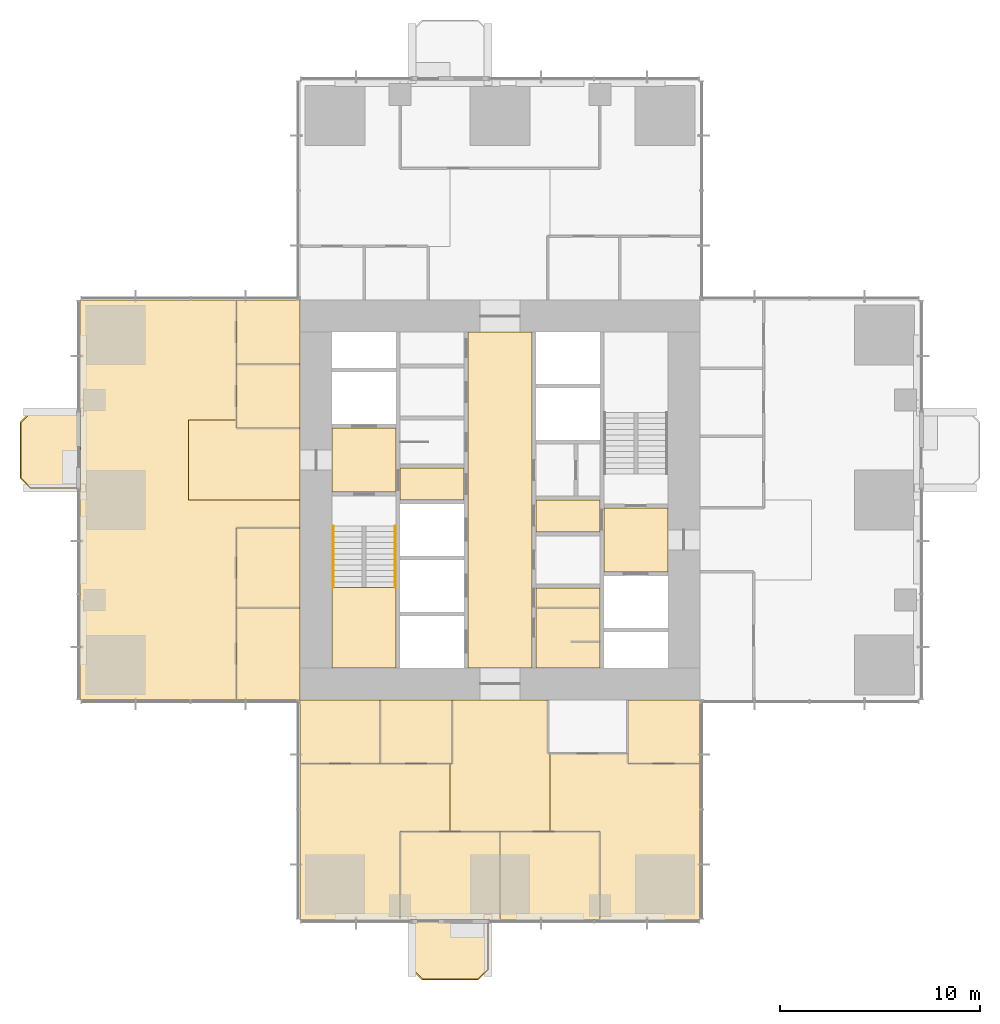
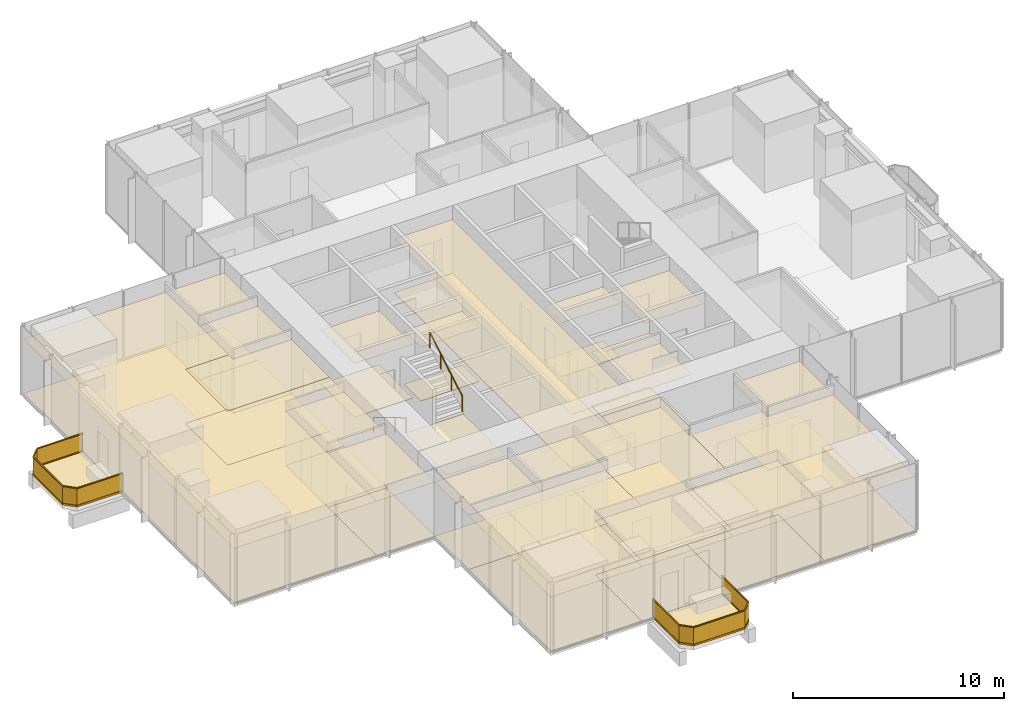
# One storey, part 11 of 13: 44 coverings, 4 railings.
"""IFC4 building model written with IfcOpenShell, lengths in metres."""

from ifc_helpers import new_model, si_unit, direction, frame, origin, origin_2d, place, context, subcontext, project, spatial, polyline, rectangle, circle, outline, extrude, material, layer, layer_set, type_object, element, save


model = new_model("IFC4")

# Units and contexts
model_context = context("Model", 3, precision=1e-05, world=origin(), true_north=direction((0.0, 1.0)))
body_context = subcontext(model_context, "Body", "Model", "MODEL_VIEW")
ifc_project = project(units=[si_unit("LENGTHUNIT", "METRE"), si_unit("AREAUNIT", "SQUARE_METRE"), si_unit("VOLUMEUNIT", "CUBIC_METRE"), si_unit("PLANEANGLEUNIT", "RADIAN"), si_unit("MASSUNIT", "GRAM", prefix="KILO")], contexts=[model_context])

# Site, building, storey
site_placement = place(None, origin())
site = spatial("IfcSite", under=ifc_project, at=site_placement, CompositionType="ELEMENT")
building_placement = place(site_placement, origin())
building = spatial("IfcBuilding", under=site, at=building_placement, Name="Svetlomir Tower", CompositionType="ELEMENT")
storey_placement = place(building_placement, frame((0.0, 0.0, 132.5)))
storey = spatial("IfcBuildingStorey", under=building, at=storey_placement, Name="L31", CompositionType="ELEMENT", Elevation=132.5)

# Railings
ifc_material_1 = material(Name="Bronze anodised aluminium and laminated glass", Category="aluminium")
railing_type_1 = type_object("IfcRailingType", Name="BALCONY GUARD GR1 1100", PredefinedType="GUARDRAIL", material=ifc_material_1)
railing_1_placement = place(storey_placement, frame((16.60009765625, 0.0, 0.0)))
element("IfcRailing", 1, at=railing_1_placement, inside=storey, type_object=railing_type_1, Name="Balcony guard S L31", PredefinedType="GUARDRAIL", context=body_context, shape_type="SweptSolid", body=[
    extrude(rectangle(XDim=0.06005859375, YDim=0.10009765625, at=origin_2d()), frame((0.0, 0.0, 0.050048828125), z_axis=(0.0, -1.0, 0.0), x_axis=(1.0, 0.0, 0.0)), (0.0, 0.0, 1.0), 2.5),
    extrude(rectangle(XDim=0.021484375, YDim=0.960205078125, at=origin_2d()), frame((0.0, 0.0, 0.580078125), z_axis=(0.0, -1.0, 0.0), x_axis=(1.0, 0.0, 0.0)), (0.0, 0.0, 1.0), 2.5),
    extrude(rectangle(XDim=0.06005859375, YDim=0.0400390625, at=origin_2d()), frame((0.0, 0.0, 1.080078125), z_axis=(0.0, -1.0, 0.0), x_axis=(1.0, 0.0, 0.0)), (0.0, 0.0, 1.0), 2.5),
    extrude(rectangle(XDim=0.06005859375, YDim=0.10009765625, at=origin_2d()), frame((0.0, -2.5, 0.050048828125), z_axis=(0.707106781187, -0.707106781187, 0.0), x_axis=(0.707106781187, 0.707106781187, 0.0)), (0.0, 0.0, 1.0), 0.70703125),
    extrude(rectangle(XDim=0.021484375, YDim=0.960205078125, at=origin_2d()), frame((0.0, -2.5, 0.580078125), z_axis=(0.707106781187, -0.707106781187, 0.0), x_axis=(0.707106781187, 0.707106781187, 0.0)), (0.0, 0.0, 1.0), 0.70703125),
    extrude(rectangle(XDim=0.06005859375, YDim=0.0400390625, at=origin_2d()), frame((0.0, -2.5, 1.080078125), z_axis=(0.707106781187, -0.707106781187, 0.0), x_axis=(0.707106781187, 0.707106781187, 0.0)), (0.0, 0.0, 1.0), 0.70703125),
    extrude(rectangle(XDim=0.06005859375, YDim=0.10009765625, at=origin_2d()), frame((0.5, -3.0, 0.050048828125), z_axis=(1.0, 0.0, 0.0), x_axis=(0.0, 1.0, 0.0)), (0.0, 0.0, 1.0), 2.7998046875),
    extrude(rectangle(XDim=0.021484375, YDim=0.960205078125, at=origin_2d()), frame((0.5, -3.0, 0.580078125), z_axis=(1.0, 0.0, 0.0), x_axis=(0.0, 1.0, 0.0)), (0.0, 0.0, 1.0), 2.7998046875),
    extrude(rectangle(XDim=0.06005859375, YDim=0.0400390625, at=origin_2d()), frame((0.5, -3.0, 1.080078125), z_axis=(1.0, 0.0, 0.0), x_axis=(0.0, 1.0, 0.0)), (0.0, 0.0, 1.0), 2.7998046875),
    extrude(rectangle(XDim=0.06005859375, YDim=0.10009765625, at=origin_2d()), frame((3.2998046875, -3.0, 0.050048828125), z_axis=(0.707106781187, 0.707106781187, 0.0), x_axis=(-0.707106781187, 0.707106781187, 0.0)), (0.0, 0.0, 1.0), 0.70703125),
    extrude(rectangle(XDim=0.021484375, YDim=0.960205078125, at=origin_2d()), frame((3.2998046875, -3.0, 0.580078125), z_axis=(0.707106781187, 0.707106781187, 0.0), x_axis=(-0.707106781187, 0.707106781187, 0.0)), (0.0, 0.0, 1.0), 0.70703125),
    extrude(rectangle(XDim=0.06005859375, YDim=0.0400390625, at=origin_2d()), frame((3.2998046875, -3.0, 1.080078125), z_axis=(0.707106781187, 0.707106781187, 0.0), x_axis=(-0.707106781187, 0.707106781187, 0.0)), (0.0, 0.0, 1.0), 0.70703125),
    extrude(rectangle(XDim=0.06005859375, YDim=0.10009765625, at=origin_2d()), frame((3.7998046875, -2.5, 0.050048828125), z_axis=(0.0, 1.0, 0.0), x_axis=(-1.0, 0.0, 0.0)), (0.0, 0.0, 1.0), 2.5),
    extrude(rectangle(XDim=0.021484375, YDim=0.960205078125, at=origin_2d()), frame((3.7998046875, -2.5, 0.580078125), z_axis=(0.0, 1.0, 0.0), x_axis=(-1.0, 0.0, 0.0)), (0.0, 0.0, 1.0), 2.5),
    extrude(rectangle(XDim=0.06005859375, YDim=0.0400390625, at=origin_2d()), frame((3.7998046875, -2.5, 1.080078125), z_axis=(0.0, 1.0, 0.0), x_axis=(-1.0, 0.0, 0.0)), (0.0, 0.0, 1.0), 2.5),
])
railing_2_placement = place(storey_placement, frame((0.0, 25.39990234375, 0.0)))
element("IfcRailing", 2, at=railing_2_placement, inside=storey, type_object=railing_type_1, Name="Balcony guard W L31", PredefinedType="GUARDRAIL", context=body_context, shape_type="SweptSolid", body=[
    extrude(rectangle(XDim=0.06005859375, YDim=0.10009765625, at=origin_2d()), frame((0.0, 0.0, 0.050048828125), z_axis=(-1.0, 0.0, 0.0), x_axis=(0.0, -1.0, 0.0)), (0.0, 0.0, 1.0), 2.5),
    extrude(rectangle(XDim=0.021484375, YDim=0.960205078125, at=origin_2d()), frame((0.0, 0.0, 0.580078125), z_axis=(-1.0, 0.0, 0.0), x_axis=(0.0, -1.0, 0.0)), (0.0, 0.0, 1.0), 2.5),
    extrude(rectangle(XDim=0.06005859375, YDim=0.0400390625, at=origin_2d()), frame((0.0, 0.0, 1.080078125), z_axis=(-1.0, 0.0, 0.0), x_axis=(0.0, -1.0, 0.0)), (0.0, 0.0, 1.0), 2.5),
    extrude(rectangle(XDim=0.06005859375, YDim=0.10009765625, at=origin_2d()), frame((-2.5, 0.0, 0.050048828125), z_axis=(-0.707106781187, -0.707106781187, 0.0), x_axis=(0.707106781187, -0.707106781187, 0.0)), (0.0, 0.0, 1.0), 0.70703125),
    extrude(rectangle(XDim=0.021484375, YDim=0.960205078125, at=origin_2d()), frame((-2.5, 0.0, 0.580078125), z_axis=(-0.707106781187, -0.707106781187, 0.0), x_axis=(0.707106781187, -0.707106781187, 0.0)), (0.0, 0.0, 1.0), 0.70703125),
    extrude(rectangle(XDim=0.06005859375, YDim=0.0400390625, at=origin_2d()), frame((-2.5, 0.0, 1.080078125), z_axis=(-0.707106781187, -0.707106781187, 0.0), x_axis=(0.707106781187, -0.707106781187, 0.0)), (0.0, 0.0, 1.0), 0.70703125),
    extrude(rectangle(XDim=0.06005859375, YDim=0.10009765625, at=origin_2d()), frame((-3.0, -0.5, 0.050048828125), z_axis=(0.0, -1.0, 0.0), x_axis=(1.0, 0.0, 0.0)), (0.0, 0.0, 1.0), 2.7998046875),
    extrude(rectangle(XDim=0.021484375, YDim=0.960205078125, at=origin_2d()), frame((-3.0, -0.5, 0.580078125), z_axis=(0.0, -1.0, 0.0), x_axis=(1.0, 0.0, 0.0)), (0.0, 0.0, 1.0), 2.7998046875),
    extrude(rectangle(XDim=0.06005859375, YDim=0.0400390625, at=origin_2d()), frame((-3.0, -0.5, 1.080078125), z_axis=(0.0, -1.0, 0.0), x_axis=(1.0, 0.0, 0.0)), (0.0, 0.0, 1.0), 2.7998046875),
    extrude(rectangle(XDim=0.06005859375, YDim=0.10009765625, at=origin_2d()), frame((-3.0, -3.2998046875, 0.050048828125), z_axis=(0.707106781187, -0.707106781187, 0.0), x_axis=(0.707106781187, 0.707106781187, 0.0)), (0.0, 0.0, 1.0), 0.70703125),
    extrude(rectangle(XDim=0.021484375, YDim=0.960205078125, at=origin_2d()), frame((-3.0, -3.2998046875, 0.580078125), z_axis=(0.707106781187, -0.707106781187, 0.0), x_axis=(0.707106781187, 0.707106781187, 0.0)), (0.0, 0.0, 1.0), 0.70703125),
    extrude(rectangle(XDim=0.06005859375, YDim=0.0400390625, at=origin_2d()), frame((-3.0, -3.2998046875, 1.080078125), z_axis=(0.707106781187, -0.707106781187, 0.0), x_axis=(0.707106781187, 0.707106781187, 0.0)), (0.0, 0.0, 1.0), 0.70703125),
    extrude(rectangle(XDim=0.06005859375, YDim=0.10009765625, at=origin_2d()), frame((-2.5, -3.7998046875, 0.050048828125), z_axis=(1.0, 0.0, 0.0), x_axis=(0.0, 1.0, 0.0)), (0.0, 0.0, 1.0), 2.5),
    extrude(rectangle(XDim=0.021484375, YDim=0.960205078125, at=origin_2d()), frame((-2.5, -3.7998046875, 0.580078125), z_axis=(1.0, 0.0, 0.0), x_axis=(0.0, 1.0, 0.0)), (0.0, 0.0, 1.0), 2.5),
    extrude(rectangle(XDim=0.06005859375, YDim=0.0400390625, at=origin_2d()), frame((-2.5, -3.7998046875, 1.080078125), z_axis=(1.0, 0.0, 0.0), x_axis=(0.0, 1.0, 0.0)), (0.0, 0.0, 1.0), 2.5),
])

# Coverings
ifc_material_2 = material(Name="Granite paving slabs on pedestals", Category="masonry")
ifc_layer_1 = layer(ifc_material_2, 0.0400390625)
ifc_layer_set_1 = layer_set([ifc_layer_1], Name="Granite paving slabs on pedestals")
covering_type_1 = type_object("IfcCoveringType", Name="BALCONY PAVING 40", PredefinedType="USERDEFINED", material=ifc_layer_set_1)
covering_1_placement = place(storey_placement, origin())
element("IfcCovering", 3, at=covering_1_placement, inside=storey, type_object=covering_type_1, Name="Balcony paving S L31", ObjectType="BALCONY PAVING", PredefinedType="USERDEFINED", context=body_context, shape_type="SweptSolid", body=[
    extrude(outline(polyline([(16.60009765625, -2.5), (17.10009765625, -3.0), (19.89990234375, -3.0), (20.39990234375, -2.5), (20.39990234375, 0.0), (16.60009765625, 0.0), (16.60009765625, -2.5)])), origin(), (0.0, 0.0, 1.0), 0.0400390625),
])
covering_2_placement = place(storey_placement, origin())
element("IfcCovering", 4, at=covering_2_placement, inside=storey, type_object=covering_type_1, Name="Balcony paving W L31", ObjectType="BALCONY PAVING", PredefinedType="USERDEFINED", context=body_context, shape_type="SweptSolid", body=[
    extrude(outline(polyline([(-2.5, 21.60009765625), (0.0, 21.60009765625), (0.0, 25.39990234375), (-2.5, 25.39990234375), (-3.0, 24.89990234375), (-3.0, 22.10009765625), (-2.5, 21.60009765625)])), origin(), (0.0, 0.0, 1.0), 0.0400390625),
])
ifc_material_3 = material(Name="Carpet tile", Category="textile")
ifc_layer_2 = layer(ifc_material_3, 0.010009765625)
ifc_layer_set_2 = layer_set([ifc_layer_2], Name="Carpet tile")
covering_type_2 = type_object("IfcCoveringType", Name="CARPET TILE FLOOR 10", PredefinedType="FLOORING", material=ifc_layer_set_2)
covering_3_placement = place(storey_placement, origin())
element("IfcCovering", 5, at=covering_3_placement, inside=storey, type_object=covering_type_2, Name="Floor finish L31-16", PredefinedType="FLOORING", context=body_context, shape_type="SweptSolid", body=[
    extrude(outline(polyline([(11.0, 7.800048828125), (15.0, 7.800048828125), (15.0, 11.0), (11.0, 11.0), (11.0, 7.800048828125)])), origin(), (0.0, 0.0, 1.0), 0.010009765625),
])
covering_4_placement = place(storey_placement, origin())
element("IfcCovering", 6, at=covering_4_placement, inside=storey, type_object=covering_type_2, Name="Floor finish L31-17", PredefinedType="FLOORING", context=body_context, shape_type="SweptSolid", body=[
    extrude(outline(polyline([(15.0, 7.800048828125), (18.60009765625, 7.800048828125), (18.60009765625, 11.0), (15.0, 11.0), (15.0, 7.800048828125)])), origin(), (0.0, 0.0, 1.0), 0.010009765625),
])
covering_5_placement = place(storey_placement, origin())
element("IfcCovering", 7, at=covering_5_placement, inside=storey, type_object=covering_type_2, Name="Floor finish L31-19", PredefinedType="FLOORING", context=body_context, shape_type="SweptSolid", body=[
    extrude(outline(polyline([(27.39990234375, 7.800048828125), (31.0, 7.800048828125), (31.0, 11.0), (27.39990234375, 11.0), (27.39990234375, 7.800048828125)])), origin(), (0.0, 0.0, 1.0), 0.010009765625),
])
covering_6_placement = place(storey_placement, origin())
element("IfcCovering", 8, at=covering_6_placement, inside=storey, type_object=covering_type_2, Name="Floor finish L31-20", PredefinedType="FLOORING", context=body_context, shape_type="SweptSolid", body=[
    extrude(outline(polyline([(16.0, 0.0), (21.0, 0.0), (21.0, 4.39990234375), (16.0, 4.39990234375), (16.0, 0.0)])), origin(), (0.0, 0.0, 1.0), 0.010009765625),
])
covering_7_placement = place(storey_placement, origin())
element("IfcCovering", 9, at=covering_7_placement, inside=storey, type_object=covering_type_2, Name="Floor finish L31-21", PredefinedType="FLOORING", context=body_context, shape_type="SweptSolid", body=[
    extrude(outline(polyline([(21.0, 0.0), (26.0, 0.0), (26.0, 4.39990234375), (21.0, 4.39990234375), (21.0, 0.0)])), origin(), (0.0, 0.0, 1.0), 0.010009765625),
])
covering_8_placement = place(storey_placement, origin())
element("IfcCovering", 10, at=covering_8_placement, inside=storey, type_object=covering_type_2, Name="Floor finish L31-31", PredefinedType="FLOORING", context=body_context, shape_type="SweptSolid", body=[
    extrude(outline(polyline([(7.800048828125, 11.0), (11.0, 11.0), (11.0, 15.60009765625), (7.800048828125, 15.60009765625), (7.800048828125, 11.0)])), origin(), (0.0, 0.0, 1.0), 0.010009765625),
])
covering_9_placement = place(storey_placement, origin())
element("IfcCovering", 11, at=covering_9_placement, inside=storey, type_object=covering_type_2, Name="Floor finish L31-32", PredefinedType="FLOORING", context=body_context, shape_type="SweptSolid", body=[
    extrude(outline(polyline([(7.800048828125, 15.60009765625), (11.0, 15.60009765625), (11.0, 19.60009765625), (7.800048828125, 19.60009765625), (7.800048828125, 15.60009765625)])), origin(), (0.0, 0.0, 1.0), 0.010009765625),
])
covering_10_placement = place(storey_placement, origin())
element("IfcCovering", 12, at=covering_10_placement, inside=storey, type_object=covering_type_2, Name="Floor finish L31-33", PredefinedType="FLOORING", context=body_context, shape_type="SweptSolid", body=[
    extrude(outline(polyline([(7.800048828125, 24.60009765625), (11.0, 24.60009765625), (11.0, 27.800048828125), (7.800048828125, 27.800048828125), (7.800048828125, 24.60009765625)])), origin(), (0.0, 0.0, 1.0), 0.010009765625),
])
covering_11_placement = place(storey_placement, origin())
element("IfcCovering", 13, at=covering_11_placement, inside=storey, type_object=covering_type_2, Name="Floor finish L31-34", PredefinedType="FLOORING", context=body_context, shape_type="SweptSolid", body=[
    extrude(outline(polyline([(7.800048828125, 27.800048828125), (11.0, 27.800048828125), (11.0, 31.0), (7.800048828125, 31.0), (7.800048828125, 27.800048828125)])), origin(), (0.0, 0.0, 1.0), 0.010009765625),
])
covering_12_placement = place(storey_placement, origin())
element("IfcCovering", 14, at=covering_12_placement, inside=storey, type_object=covering_type_2, Name="Floor finish L31-35", PredefinedType="FLOORING", context=body_context, shape_type="SweptSolid", body=[
    extrude(outline(polyline([(18.5, 4.39990234375), (18.5, 7.800048828125), (18.60009765625, 7.800048828125), (18.60009765625, 11.0), (23.39990234375, 11.0), (23.39990234375, 8.300048828125), (23.5, 8.300048828125), (23.5, 4.39990234375), (18.5, 4.39990234375)])), origin(), (0.0, 0.0, 1.0), 0.010009765625),
])
covering_13_placement = place(storey_placement, origin())
element("IfcCovering", 15, at=covering_13_placement, inside=storey, type_object=covering_type_2, Name="Floor finish L31-37", PredefinedType="FLOORING", context=body_context, shape_type="SweptSolid", body=[
    extrude(outline(polyline([(5.39990234375, 21.0), (5.39990234375, 25.0), (7.800048828125, 25.0), (7.800048828125, 24.60009765625), (11.0, 24.60009765625), (11.0, 21.0), (5.39990234375, 21.0)])), origin(), (0.0, 0.0, 1.0), 0.010009765625),
])
covering_14_placement = place(storey_placement, origin())
element("IfcCovering", 16, at=covering_14_placement, inside=storey, type_object=covering_type_2, Name="Floor finish L31-39", PredefinedType="FLOORING", context=body_context, shape_type="SweptSolid", body=[
    extrude(outline(polyline([(18.5, 7.800048828125), (18.5, 4.39990234375), (16.0, 4.39990234375), (16.0, 0.0), (11.0, 0.0), (11.0, 7.800048828125), (18.5, 7.800048828125)])), origin(), (0.0, 0.0, 1.0), 0.010009765625),
])
covering_15_placement = place(storey_placement, origin())
element("IfcCovering", 17, at=covering_15_placement, inside=storey, type_object=covering_type_2, Name="Floor finish L31-40", PredefinedType="FLOORING", context=body_context, shape_type="SweptSolid", body=[
    extrude(outline(polyline([(27.39990234375, 7.800048828125), (31.0, 7.800048828125), (31.0, 0.0), (26.0, 0.0), (26.0, 4.39990234375), (23.5, 4.39990234375), (23.5, 8.300048828125), (27.39990234375, 8.300048828125), (27.39990234375, 7.800048828125)])), origin(), (0.0, 0.0, 1.0), 0.010009765625),
])
covering_16_placement = place(storey_placement, origin())
element("IfcCovering", 18, at=covering_16_placement, inside=storey, type_object=covering_type_2, Name="Floor finish L31-44", PredefinedType="FLOORING", context=body_context, shape_type="SweptSolid", body=[
    extrude(outline(polyline([(7.800048828125, 31.0), (7.800048828125, 25.0), (5.39990234375, 25.0), (5.39990234375, 21.0), (11.0, 21.0), (11.0, 19.60009765625), (7.800048828125, 19.60009765625), (7.800048828125, 11.0), (0.0, 11.0), (0.0, 31.0), (7.800048828125, 31.0)])), origin(), (0.0, 0.0, 1.0), 0.010009765625),
])
ifc_material_4 = material(Name="Ceramic floor tile", Category="ceramic")
ifc_layer_3 = layer(ifc_material_4, 0.014892578125)
ifc_layer_set_3 = layer_set([ifc_layer_3], Name="Ceramic floor tile")
covering_type_3 = type_object("IfcCoveringType", Name="CERAMIC TILE FLOOR 15", PredefinedType="FLOORING", material=ifc_layer_set_3)
covering_17_placement = place(storey_placement, origin())
element("IfcCovering", 19, at=covering_17_placement, inside=storey, type_object=covering_type_3, Name="Floor finish L31-08", PredefinedType="FLOORING", context=body_context, shape_type="SweptSolid", body=[
    extrude(outline(polyline([(22.800048828125, 15.60009765625), (26.0, 15.60009765625), (26.0, 16.60009765625), (22.800048828125, 16.60009765625), (22.800048828125, 15.60009765625)])), origin(), (0.0, 0.0, 1.0), 0.014892578125),
])
covering_18_placement = place(storey_placement, origin())
element("IfcCovering", 20, at=covering_18_placement, inside=storey, type_object=covering_type_3, Name="Floor finish L31-09", PredefinedType="FLOORING", context=body_context, shape_type="SweptSolid", body=[
    extrude(outline(polyline([(22.800048828125, 12.60009765625), (26.0, 12.60009765625), (26.0, 15.60009765625), (22.800048828125, 15.60009765625), (22.800048828125, 12.60009765625)])), origin(), (0.0, 0.0, 1.0), 0.014892578125),
])

# Railings
ifc_material_5 = material(Name="Stainless steel", Category="steel")
railing_type_2 = type_object("IfcRailingType", Name="HANDRAIL HR1 900", PredefinedType="HANDRAIL", material=ifc_material_5)
railing_3_placement = place(storey_placement, frame((12.64990234375, 19.699951171875, 0.166748046875)))
element("IfcRailing", 21, at=railing_3_placement, inside=storey, type_object=railing_type_2, Name="Handrail S1 flight 1 L31", PredefinedType="HANDRAIL", context=body_context, shape_type="SweptSolid", body=[
    extrude(circle(Radius=0.02392578125, at=origin_2d()), frame((0.0, 0.0, 0.8759765625), z_axis=(0.0, -0.859290745958, 0.51148745235), x_axis=(1.0, 0.0, 0.0)), (0.0, 0.0, 1.0), 3.584228515625),
    extrude(circle(Radius=0.02099609375, at=origin_2d()), origin(), (0.0, 0.0, 1.0), 0.851806640625),
    extrude(circle(Radius=0.02099609375, at=origin_2d()), frame((0.0, -1.026611328125, 0.611083984375)), (0.0, 0.0, 1.0), 0.851806640625),
    extrude(circle(Radius=0.02099609375, at=origin_2d()), frame((0.0, -2.05322265625, 1.22216796875)), (0.0, 0.0, 1.0), 0.851806640625),
    extrude(circle(Radius=0.02099609375, at=origin_2d()), frame((0.0, -3.079833984375, 1.833251953125)), (0.0, 0.0, 1.0), 0.851806640625),
])
railing_4_placement = place(storey_placement, frame((15.75, 16.6201171875, 2.166748046875)))
element("IfcRailing", 22, at=railing_4_placement, inside=storey, type_object=railing_type_2, Name="Handrail S1 flight 2 L31", PredefinedType="HANDRAIL", context=body_context, shape_type="SweptSolid", body=[
    extrude(circle(Radius=0.02392578125, at=origin_2d()), frame((0.0, 0.0, 0.8759765625), z_axis=(0.0, 0.859290745958, 0.51148745235), x_axis=(-1.0, 0.0, 0.0)), (0.0, 0.0, 1.0), 3.584228515625),
    extrude(circle(Radius=0.02099609375, at=origin_2d()), origin(), (0.0, 0.0, 1.0), 0.851806640625),
    extrude(circle(Radius=0.02099609375, at=origin_2d()), frame((0.0, 1.026611328125, 0.611083984375)), (0.0, 0.0, 1.0), 0.851806640625),
    extrude(circle(Radius=0.02099609375, at=origin_2d()), frame((0.0, 2.05322265625, 1.22216796875)), (0.0, 0.0, 1.0), 0.851806640625),
    extrude(circle(Radius=0.02099609375, at=origin_2d()), frame((0.0, 3.079833984375, 1.833251953125)), (0.0, 0.0, 1.0), 0.851806640625),
])

# Coverings
ifc_material_6 = material(Name="Moisture resistant plasterboard ceiling", Category="gypsum")
ifc_layer_4 = layer(ifc_material_6, 0.012451171875)
ifc_layer_set_4 = layer_set([ifc_layer_4], Name="Moisture resistant plasterboard ceiling")
covering_type_4 = type_object("IfcCoveringType", Name="MOISTURE RESISTANT CEILING 12.5", PredefinedType="CEILING", material=ifc_layer_set_4)
covering_19_placement = place(storey_placement, frame((0.0, 0.0, 3.137451171875)))
element("IfcCovering", 23, at=covering_19_placement, inside=storey, type_object=covering_type_4, Name="Ceiling L31-08", PredefinedType="CEILING", context=body_context, shape_type="SweptSolid", body=[
    extrude(outline(polyline([(22.800048828125, 15.60009765625), (26.0, 15.60009765625), (26.0, 16.60009765625), (22.800048828125, 16.60009765625), (22.800048828125, 15.60009765625)])), origin(), (0.0, 0.0, 1.0), 0.012451171875),
])
covering_20_placement = place(storey_placement, frame((0.0, 0.0, 3.137451171875)))
element("IfcCovering", 24, at=covering_20_placement, inside=storey, type_object=covering_type_4, Name="Ceiling L31-09", PredefinedType="CEILING", context=body_context, shape_type="SweptSolid", body=[
    extrude(outline(polyline([(22.800048828125, 12.60009765625), (26.0, 12.60009765625), (26.0, 15.60009765625), (22.800048828125, 15.60009765625), (22.800048828125, 12.60009765625)])), origin(), (0.0, 0.0, 1.0), 0.012451171875),
])
ifc_material_7 = material(Name="Gypsum plasterboard ceiling", Category="gypsum")
ifc_layer_5 = layer(ifc_material_7, 0.014892578125)
ifc_layer_set_5 = layer_set([ifc_layer_5], Name="Gypsum plasterboard ceiling")
covering_type_5 = type_object("IfcCoveringType", Name="PLASTERBOARD CEILING 15", PredefinedType="CEILING", material=ifc_layer_set_5)
covering_21_placement = place(storey_placement, frame((0.0, 0.0, 3.135009765625)))
element("IfcCovering", 25, at=covering_21_placement, inside=storey, type_object=covering_type_5, Name="Ceiling L31-02", PredefinedType="CEILING", context=body_context, shape_type="SweptSolid", body=[
    extrude(outline(polyline([(12.60009765625, 21.39990234375), (15.800048828125, 21.39990234375), (15.800048828125, 24.60009765625), (12.60009765625, 24.60009765625), (12.60009765625, 21.39990234375)])), origin(), (0.0, 0.0, 1.0), 0.014892578125),
])
covering_22_placement = place(storey_placement, frame((0.0, 0.0, 3.135009765625)))
element("IfcCovering", 26, at=covering_22_placement, inside=storey, type_object=covering_type_5, Name="Ceiling L31-03", PredefinedType="CEILING", context=body_context, shape_type="SweptSolid", body=[
    extrude(outline(polyline([(16.0, 21.0), (19.199951171875, 21.0), (19.199951171875, 22.60009765625), (16.0, 22.60009765625), (16.0, 21.0)])), origin(), (0.0, 0.0, 1.0), 0.014892578125),
])
covering_23_placement = place(storey_placement, frame((0.0, 0.0, 3.135009765625)))
element("IfcCovering", 27, at=covering_23_placement, inside=storey, type_object=covering_type_5, Name="Ceiling L31-07", PredefinedType="CEILING", context=body_context, shape_type="SweptSolid", body=[
    extrude(outline(polyline([(19.39990234375, 12.60009765625), (22.60009765625, 12.60009765625), (22.60009765625, 29.39990234375), (19.39990234375, 29.39990234375), (19.39990234375, 12.60009765625)])), origin(), (0.0, 0.0, 1.0), 0.014892578125),
])
covering_24_placement = place(storey_placement, frame((0.0, 0.0, 3.135009765625)))
element("IfcCovering", 28, at=covering_24_placement, inside=storey, type_object=covering_type_5, Name="Ceiling L31-11", PredefinedType="CEILING", context=body_context, shape_type="SweptSolid", body=[
    extrude(outline(polyline([(22.800048828125, 19.39990234375), (26.0, 19.39990234375), (26.0, 21.0), (22.800048828125, 21.0), (22.800048828125, 19.39990234375)])), origin(), (0.0, 0.0, 1.0), 0.014892578125),
])
covering_25_placement = place(storey_placement, frame((0.0, 0.0, 3.135009765625)))
element("IfcCovering", 29, at=covering_25_placement, inside=storey, type_object=covering_type_5, Name="Ceiling L31-12", PredefinedType="CEILING", context=body_context, shape_type="SweptSolid", body=[
    extrude(outline(polyline([(26.199951171875, 17.39990234375), (29.39990234375, 17.39990234375), (29.39990234375, 20.60009765625), (26.199951171875, 20.60009765625), (26.199951171875, 17.39990234375)])), origin(), (0.0, 0.0, 1.0), 0.014892578125),
])
ifc_material_8 = material(Name="Studded rubber floor finish", Category="rubber")
ifc_layer_6 = layer(ifc_material_8, 0.006103515625)
ifc_layer_set_6 = layer_set([ifc_layer_6], Name="Studded rubber floor finish")
covering_type_6 = type_object("IfcCoveringType", Name="RUBBER LANDING FINISH 6", PredefinedType="FLOORING", material=ifc_layer_set_6)
covering_26_placement = place(storey_placement, frame((0.0, 0.0, 2.0)))
element("IfcCovering", 30, at=covering_26_placement, inside=storey, type_object=covering_type_6, Name="Stair S1 landing finish L31", PredefinedType="FLOORING", context=body_context, shape_type="SweptSolid", body=[
    extrude(outline(polyline([(12.60009765625, 12.60009765625), (15.800048828125, 12.60009765625), (15.800048828125, 16.6201171875), (12.60009765625, 16.6201171875), (12.60009765625, 12.60009765625)])), origin(), (0.0, 0.0, 1.0), 0.006103515625),
])
ifc_material_9 = material(Name="Mineral fibre ceiling tile", Category="mineral")
ifc_layer_7 = layer(ifc_material_9, 0.02001953125)
ifc_layer_set_7 = layer_set([ifc_layer_7], Name="Mineral fibre ceiling tile")
covering_type_7 = type_object("IfcCoveringType", Name="SUSPENDED CEILING 20", PredefinedType="CEILING", material=ifc_layer_set_7)
covering_27_placement = place(storey_placement, frame((0.0, 0.0, 3.1298828125)))
element("IfcCovering", 31, at=covering_27_placement, inside=storey, type_object=covering_type_7, Name="Ceiling L31-16", PredefinedType="CEILING", context=body_context, shape_type="SweptSolid", body=[
    extrude(outline(polyline([(11.0, 7.800048828125), (15.0, 7.800048828125), (15.0, 11.0), (11.0, 11.0), (11.0, 7.800048828125)])), origin(), (0.0, 0.0, 1.0), 0.02001953125),
])
covering_28_placement = place(storey_placement, frame((0.0, 0.0, 3.1298828125)))
element("IfcCovering", 32, at=covering_28_placement, inside=storey, type_object=covering_type_7, Name="Ceiling L31-17", PredefinedType="CEILING", context=body_context, shape_type="SweptSolid", body=[
    extrude(outline(polyline([(15.0, 7.800048828125), (18.60009765625, 7.800048828125), (18.60009765625, 11.0), (15.0, 11.0), (15.0, 7.800048828125)])), origin(), (0.0, 0.0, 1.0), 0.02001953125),
])
covering_29_placement = place(storey_placement, frame((0.0, 0.0, 3.1298828125)))
element("IfcCovering", 33, at=covering_29_placement, inside=storey, type_object=covering_type_7, Name="Ceiling L31-19", PredefinedType="CEILING", context=body_context, shape_type="SweptSolid", body=[
    extrude(outline(polyline([(27.39990234375, 7.800048828125), (31.0, 7.800048828125), (31.0, 11.0), (27.39990234375, 11.0), (27.39990234375, 7.800048828125)])), origin(), (0.0, 0.0, 1.0), 0.02001953125),
])
covering_30_placement = place(storey_placement, frame((0.0, 0.0, 3.1298828125)))
element("IfcCovering", 34, at=covering_30_placement, inside=storey, type_object=covering_type_7, Name="Ceiling L31-20", PredefinedType="CEILING", context=body_context, shape_type="SweptSolid", body=[
    extrude(outline(polyline([(16.0, 0.0), (21.0, 0.0), (21.0, 4.39990234375), (16.0, 4.39990234375), (16.0, 0.0)])), origin(), (0.0, 0.0, 1.0), 0.02001953125),
])
covering_31_placement = place(storey_placement, frame((0.0, 0.0, 3.1298828125)))
element("IfcCovering", 35, at=covering_31_placement, inside=storey, type_object=covering_type_7, Name="Ceiling L31-21", PredefinedType="CEILING", context=body_context, shape_type="SweptSolid", body=[
    extrude(outline(polyline([(21.0, 0.0), (26.0, 0.0), (26.0, 4.39990234375), (21.0, 4.39990234375), (21.0, 0.0)])), origin(), (0.0, 0.0, 1.0), 0.02001953125),
])
covering_32_placement = place(storey_placement, frame((0.0, 0.0, 3.1298828125)))
element("IfcCovering", 36, at=covering_32_placement, inside=storey, type_object=covering_type_7, Name="Ceiling L31-31", PredefinedType="CEILING", context=body_context, shape_type="SweptSolid", body=[
    extrude(outline(polyline([(7.800048828125, 11.0), (11.0, 11.0), (11.0, 15.60009765625), (7.800048828125, 15.60009765625), (7.800048828125, 11.0)])), origin(), (0.0, 0.0, 1.0), 0.02001953125),
])
covering_33_placement = place(storey_placement, frame((0.0, 0.0, 3.1298828125)))
element("IfcCovering", 37, at=covering_33_placement, inside=storey, type_object=covering_type_7, Name="Ceiling L31-32", PredefinedType="CEILING", context=body_context, shape_type="SweptSolid", body=[
    extrude(outline(polyline([(7.800048828125, 15.60009765625), (11.0, 15.60009765625), (11.0, 19.60009765625), (7.800048828125, 19.60009765625), (7.800048828125, 15.60009765625)])), origin(), (0.0, 0.0, 1.0), 0.02001953125),
])
covering_34_placement = place(storey_placement, frame((0.0, 0.0, 3.1298828125)))
element("IfcCovering", 38, at=covering_34_placement, inside=storey, type_object=covering_type_7, Name="Ceiling L31-33", PredefinedType="CEILING", context=body_context, shape_type="SweptSolid", body=[
    extrude(outline(polyline([(7.800048828125, 24.60009765625), (11.0, 24.60009765625), (11.0, 27.800048828125), (7.800048828125, 27.800048828125), (7.800048828125, 24.60009765625)])), origin(), (0.0, 0.0, 1.0), 0.02001953125),
])
covering_35_placement = place(storey_placement, frame((0.0, 0.0, 3.1298828125)))
element("IfcCovering", 39, at=covering_35_placement, inside=storey, type_object=covering_type_7, Name="Ceiling L31-34", PredefinedType="CEILING", context=body_context, shape_type="SweptSolid", body=[
    extrude(outline(polyline([(7.800048828125, 27.800048828125), (11.0, 27.800048828125), (11.0, 31.0), (7.800048828125, 31.0), (7.800048828125, 27.800048828125)])), origin(), (0.0, 0.0, 1.0), 0.02001953125),
])
covering_36_placement = place(storey_placement, frame((0.0, 0.0, 3.1298828125)))
element("IfcCovering", 40, at=covering_36_placement, inside=storey, type_object=covering_type_7, Name="Ceiling L31-35", PredefinedType="CEILING", context=body_context, shape_type="SweptSolid", body=[
    extrude(outline(polyline([(18.5, 4.39990234375), (18.5, 7.800048828125), (18.60009765625, 7.800048828125), (18.60009765625, 11.0), (23.39990234375, 11.0), (23.39990234375, 8.300048828125), (23.5, 8.300048828125), (23.5, 4.39990234375), (18.5, 4.39990234375)])), origin(), (0.0, 0.0, 1.0), 0.02001953125),
])
covering_37_placement = place(storey_placement, frame((0.0, 0.0, 3.1298828125)))
element("IfcCovering", 41, at=covering_37_placement, inside=storey, type_object=covering_type_7, Name="Ceiling L31-37", PredefinedType="CEILING", context=body_context, shape_type="SweptSolid", body=[
    extrude(outline(polyline([(5.39990234375, 21.0), (5.39990234375, 25.0), (7.800048828125, 25.0), (7.800048828125, 24.60009765625), (11.0, 24.60009765625), (11.0, 21.0), (5.39990234375, 21.0)])), origin(), (0.0, 0.0, 1.0), 0.02001953125),
])
covering_38_placement = place(storey_placement, frame((0.0, 0.0, 3.1298828125)))
element("IfcCovering", 42, at=covering_38_placement, inside=storey, type_object=covering_type_7, Name="Ceiling L31-39", PredefinedType="CEILING", context=body_context, shape_type="SweptSolid", body=[
    extrude(outline(polyline([(18.5, 7.800048828125), (18.5, 4.39990234375), (16.0, 4.39990234375), (16.0, 0.0), (11.0, 0.0), (11.0, 7.800048828125), (18.5, 7.800048828125)])), origin(), (0.0, 0.0, 1.0), 0.02001953125),
])
covering_39_placement = place(storey_placement, frame((0.0, 0.0, 3.1298828125)))
element("IfcCovering", 43, at=covering_39_placement, inside=storey, type_object=covering_type_7, Name="Ceiling L31-40", PredefinedType="CEILING", context=body_context, shape_type="SweptSolid", body=[
    extrude(outline(polyline([(27.39990234375, 7.800048828125), (31.0, 7.800048828125), (31.0, 0.0), (26.0, 0.0), (26.0, 4.39990234375), (23.5, 4.39990234375), (23.5, 8.300048828125), (27.39990234375, 8.300048828125), (27.39990234375, 7.800048828125)])), origin(), (0.0, 0.0, 1.0), 0.02001953125),
])
covering_40_placement = place(storey_placement, frame((0.0, 0.0, 3.1298828125)))
element("IfcCovering", 44, at=covering_40_placement, inside=storey, type_object=covering_type_7, Name="Ceiling L31-44", PredefinedType="CEILING", context=body_context, shape_type="SweptSolid", body=[
    extrude(outline(polyline([(7.800048828125, 31.0), (7.800048828125, 25.0), (5.39990234375, 25.0), (5.39990234375, 21.0), (11.0, 21.0), (11.0, 19.60009765625), (7.800048828125, 19.60009765625), (7.800048828125, 11.0), (0.0, 11.0), (0.0, 31.0), (7.800048828125, 31.0)])), origin(), (0.0, 0.0, 1.0), 0.02001953125),
])
ifc_material_10 = material(Name="Bronze-aggregate terrazzo", Category="stone")
ifc_layer_8 = layer(ifc_material_10, 0.030029296875)
ifc_layer_set_8 = layer_set([ifc_layer_8], Name="Bronze-aggregate terrazzo")
covering_type_8 = type_object("IfcCoveringType", Name="TERRAZZO FLOOR 30", PredefinedType="FLOORING", material=ifc_layer_set_8)
covering_41_placement = place(storey_placement, origin())
element("IfcCovering", 45, at=covering_41_placement, inside=storey, type_object=covering_type_8, Name="Floor finish L31-02", PredefinedType="FLOORING", context=body_context, shape_type="SweptSolid", body=[
    extrude(outline(polyline([(12.60009765625, 21.39990234375), (15.800048828125, 21.39990234375), (15.800048828125, 24.60009765625), (12.60009765625, 24.60009765625), (12.60009765625, 21.39990234375)])), origin(), (0.0, 0.0, 1.0), 0.030029296875),
])
covering_42_placement = place(storey_placement, origin())
element("IfcCovering", 46, at=covering_42_placement, inside=storey, type_object=covering_type_8, Name="Floor finish L31-03", PredefinedType="FLOORING", context=body_context, shape_type="SweptSolid", body=[
    extrude(outline(polyline([(16.0, 21.0), (19.199951171875, 21.0), (19.199951171875, 22.60009765625), (16.0, 22.60009765625), (16.0, 21.0)])), origin(), (0.0, 0.0, 1.0), 0.030029296875),
])
covering_43_placement = place(storey_placement, origin())
element("IfcCovering", 47, at=covering_43_placement, inside=storey, type_object=covering_type_8, Name="Floor finish L31-07", PredefinedType="FLOORING", context=body_context, shape_type="SweptSolid", body=[
    extrude(outline(polyline([(19.39990234375, 12.60009765625), (22.60009765625, 12.60009765625), (22.60009765625, 29.39990234375), (19.39990234375, 29.39990234375), (19.39990234375, 12.60009765625)])), origin(), (0.0, 0.0, 1.0), 0.030029296875),
])
covering_44_placement = place(storey_placement, origin())
element("IfcCovering", 48, at=covering_44_placement, inside=storey, type_object=covering_type_8, Name="Floor finish L31-11", PredefinedType="FLOORING", context=body_context, shape_type="SweptSolid", body=[
    extrude(outline(polyline([(22.800048828125, 19.39990234375), (26.0, 19.39990234375), (26.0, 21.0), (22.800048828125, 21.0), (22.800048828125, 19.39990234375)])), origin(), (0.0, 0.0, 1.0), 0.030029296875),
])

save(model, "model.ifc")
